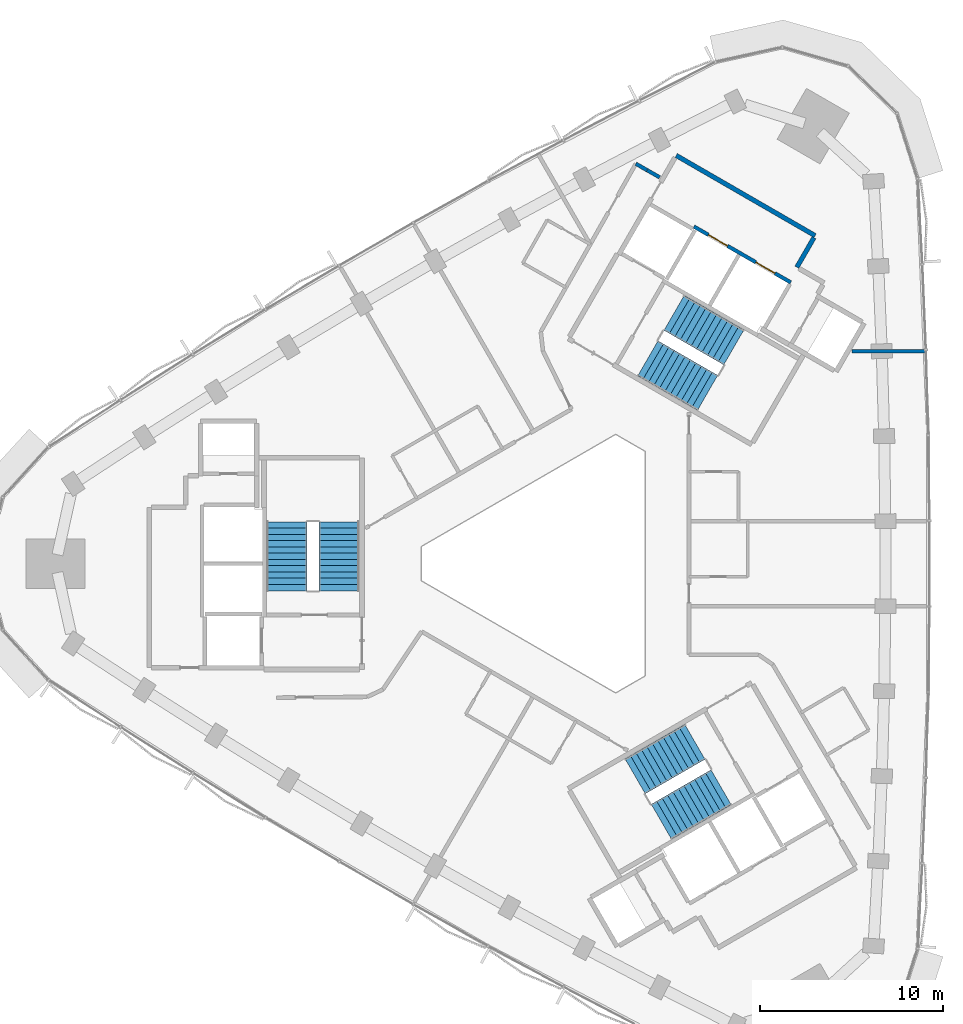
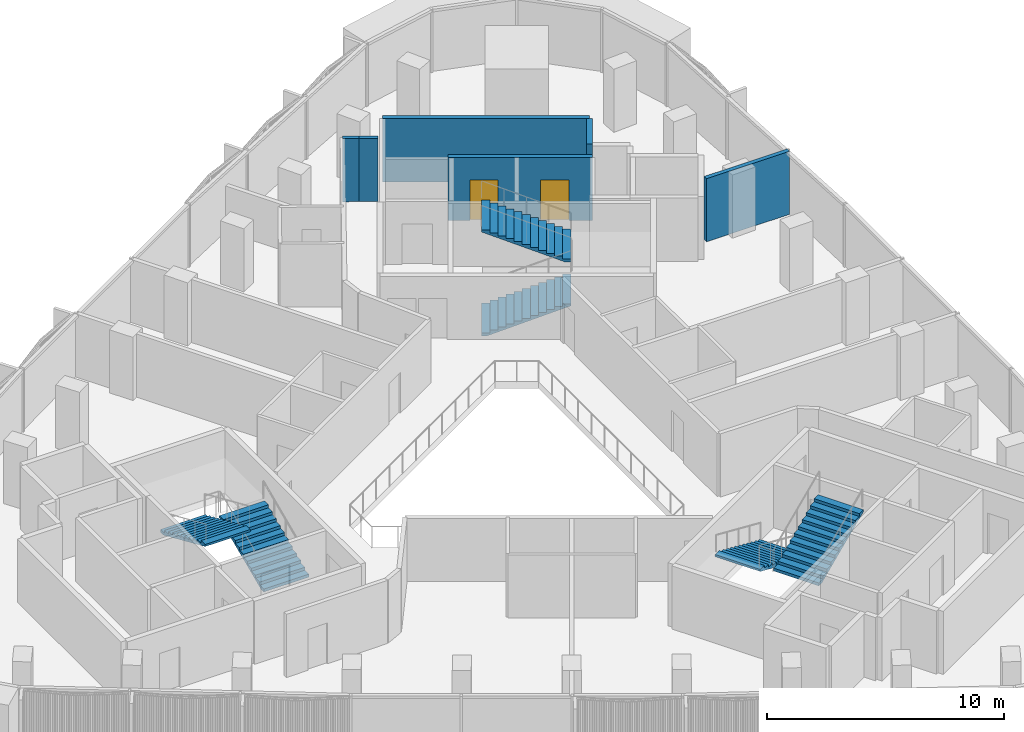
# One storey, part 10 of 13: 6 stair flights, 6 walls, 2 doors, 2 openings, 3 elements without a shape of their own.
"""IFC4 building model written with IfcOpenShell, lengths in metres."""

from ifc_helpers import new_model, si_unit, direction, frame, frame_2d, origin, place, context, subcontext, project, spatial, polyline, rectangle, outline, extrude, material, layer, layer_set, type_object, element, fill, aggregate, save


model = new_model("IFC4")

# Units and contexts
model_context = context("Model", 3, precision=1e-05, world=origin(), true_north=direction((0.0, 1.0)))
body_context = subcontext(model_context, "Body", "Model", "MODEL_VIEW")
ifc_project = project(units=[si_unit("LENGTHUNIT", "METRE"), si_unit("AREAUNIT", "SQUARE_METRE"), si_unit("VOLUMEUNIT", "CUBIC_METRE"), si_unit("PLANEANGLEUNIT", "RADIAN"), si_unit("MASSUNIT", "GRAM", prefix="KILO")], contexts=[model_context])

# Site, building, storey
site_placement = place(None, origin())
site = spatial("IfcSite", under=ifc_project, at=site_placement, CompositionType="ELEMENT")
building_placement = place(site_placement, origin())
building = spatial("IfcBuilding", under=site, at=building_placement, Name="Tamra Quay Hotel Tower", CompositionType="ELEMENT")
storey_placement = place(building_placement, frame((0.0, 0.0, 193.60009765625)))
storey = spatial("IfcBuildingStorey", under=building, at=storey_placement, Name="L48", CompositionType="ELEMENT", Elevation=193.60009765625)

# Wall, openings, doors
ifc_material_1 = material(Name="Concrete M70", Category="concrete")
ifc_layer_1 = layer(ifc_material_1, 0.199951171875)
ifc_layer_set_1 = layer_set([ifc_layer_1], Name="Concrete M70 core wall 200")
wall_type_1 = type_object("IfcWallType", Name="Concrete M70 core wall 200", PredefinedType="SHEAR", material=ifc_layer_set_1)
wall_1_placement = place(storey_placement, frame((12.552490234375, 15.341552734375, 0.0), z_axis=(0.0, 0.0, 1.0), x_axis=(-0.866030299012, 0.499991521122, 0.0)))
wall_1 = element("IfcWall", 1, at=wall_1_placement, inside=storey, type_object=wall_type_1, Name="CW2", PredefinedType="SHEAR", context=body_context, shape_type="SweptSolid", body=[
    extrude(rectangle(XDim=6.10009765625, YDim=0.199951171875, at=frame_2d((3.050048828125, 0.0))), origin(), (0.0, 0.0, 1.0), 3.25),
])
opening_1_placement = place(wall_1_placement, frame((1.0, 0.0, 0.0)))
opening_1 = element("IfcOpeningElement", 2, at=opening_1_placement, cuts=wall_1, Name="Opening LD", PredefinedType="OPENING", context=body_context, shape_type="SweptSolid", body=[
    extrude(rectangle(XDim=1.199951171875, YDim=2.10009765625, at=frame_2d((0.60009765625, 1.050048828125))), frame((0.0, 0.10986328125, 0.0), z_axis=(0.0, -1.0, 0.0), x_axis=(1.0, 0.0, 0.0)), (0.0, 0.0, 1.0), 0.219970703125),
])
opening_2_placement = place(wall_1_placement, frame((3.982177734375, 0.0, 0.0)))
opening_2 = element("IfcOpeningElement", 3, at=opening_2_placement, cuts=wall_1, Name="Opening LD", PredefinedType="OPENING", context=body_context, shape_type="SweptSolid", body=[
    extrude(rectangle(XDim=1.199951171875, YDim=2.10009765625, at=frame_2d((0.60009765625, 1.050048828125))), frame((0.0, 0.10986328125, 0.0), z_axis=(0.0, -1.0, 0.0), x_axis=(1.0, 0.0, 0.0)), (0.0, 0.0, 1.0), 0.219970703125),
])
ifc_material_2 = material(Name="Landing door LD 1200 double door sliding")
door_type = type_object("IfcDoorType", Name="Landing door LD 1200 double door sliding", OperationType="DOUBLE_DOOR_SLIDING", PredefinedType="DOOR", material=ifc_material_2)
door_1_placement = place(opening_1_placement, origin())
door_1 = element("IfcDoor", 4, at=door_1_placement, inside=storey, type_object=door_type, Name="LD", OperationType="DOUBLE_DOOR_SLIDING", OverallHeight=2.10009765625, OverallWidth=1.199951171875, PredefinedType="DOOR", context=body_context, shape_type="SweptSolid", body=[
    extrude(rectangle(XDim=1.199951171875, YDim=2.10009765625, at=frame_2d((0.60009765625, 1.050048828125))), frame((0.0, 0.02490234375, 0.0), z_axis=(0.0, -1.0, 0.0), x_axis=(1.0, 0.0, 0.0)), (0.0, 0.0, 1.0), 0.050048828125),
])
fill(opening_1, door_1)
door_2_placement = place(opening_2_placement, origin())
door_2 = element("IfcDoor", 5, at=door_2_placement, inside=storey, type_object=door_type, Name="LD", OperationType="DOUBLE_DOOR_SLIDING", OverallHeight=2.10009765625, OverallWidth=1.199951171875, PredefinedType="DOOR", context=body_context, shape_type="SweptSolid", body=[
    extrude(rectangle(XDim=1.199951171875, YDim=2.10009765625, at=frame_2d((0.60009765625, 1.050048828125))), frame((0.0, 0.02490234375, 0.0), z_axis=(0.0, -1.0, 0.0), x_axis=(1.0, 0.0, 0.0)), (0.0, 0.0, 1.0), 0.050048828125),
])
fill(opening_2, door_2)

# Walls
ifc_layer_2 = layer(ifc_material_1, 0.25)
ifc_layer_set_2 = layer_set([ifc_layer_2], Name="Concrete M70 core wall 250")
wall_type_2 = type_object("IfcWallType", Name="Concrete M70 core wall 250", PredefinedType="SHEAR", material=ifc_layer_set_2)
wall_2_placement = place(storey_placement, frame((6.303955078125, 22.268798828125, 0.0), z_axis=(0.0, 0.0, 1.0), x_axis=(0.866022959057, -0.500004234368, 0.0)))
element("IfcWall", 6, at=wall_2_placement, inside=storey, type_object=wall_type_2, Name="CW1", PredefinedType="SHEAR", context=body_context, shape_type="SweptSolid", body=[
    extrude(rectangle(XDim=8.75, YDim=0.25, at=frame_2d((4.375, 0.0))), origin(), (0.0, 0.0, 1.0), 3.25),
])
wall_3_placement = place(storey_placement, frame((13.819091796875, 17.78515625, 0.0), z_axis=(0.0, 0.0, 1.0), x_axis=(-0.500039802285, -0.866002422705, 0.0)))
element("IfcWall", 7, at=wall_3_placement, inside=storey, type_object=wall_type_2, Name="CW1", PredefinedType="SHEAR", context=body_context, shape_type="SweptSolid", body=[
    extrude(rectangle(XDim=1.864501953125, YDim=0.25, at=frame_2d((0.93212890625, 0.0))), origin(), (0.0, 0.0, 1.0), 3.25),
])
ifc_material_3 = material(Name="Partition corridor wall")
ifc_layer_3 = layer(ifc_material_3, 0.199951171875)
ifc_layer_set_3 = layer_set([ifc_layer_3], Name="Partition corridor wall")
wall_type_3 = type_object("IfcWallType", Name="Partition corridor wall", PredefinedType="PARTITIONING", material=ifc_layer_set_3)
wall_4_placement = place(storey_placement, frame((4.10205078125, 21.81591796875, 0.0), z_axis=(0.0, 0.0, 1.0), x_axis=(0.867664502326, -0.497150189986, 0.0)))
element("IfcWall", 8, at=wall_4_placement, inside=storey, type_object=wall_type_3, Name="W-C", PredefinedType="PARTITIONING", context=body_context, shape_type="SweptSolid", body=[
    extrude(rectangle(XDim=0.70166015625, YDim=0.199951171875, at=frame_2d((0.350830078125, 0.0))), origin(), (0.0, 0.0, 1.0), 3.25),
])
wall_5_placement = place(storey_placement, frame((4.716064453125, 21.468017578125, 0.0), z_axis=(0.0, 0.0, 1.0), x_axis=(0.865912682783, -0.500195187698, 0.0)))
element("IfcWall", 9, at=wall_5_placement, inside=storey, type_object=wall_type_3, Name="W-C", PredefinedType="PARTITIONING", context=body_context, shape_type="SweptSolid", body=[
    extrude(rectangle(XDim=0.789794921875, YDim=0.199951171875, at=frame_2d((0.39501953125, 0.0))), origin(), (0.0, 0.0, 1.0), 3.25),
])
ifc_material_4 = material(Name="Partition party wall")
ifc_layer_4 = layer(ifc_material_4, 0.199951171875)
ifc_layer_set_4 = layer_set([ifc_layer_4], Name="Partition party wall")
wall_type_4 = type_object("IfcWallType", Name="Partition party wall", PredefinedType="PARTITIONING", material=ifc_layer_set_4)
wall_6_placement = place(storey_placement, frame((15.884033203125, 11.592041015625, 0.0), z_axis=(0.0, 0.0, 1.0), x_axis=(1.0, 0.0, 0.0)))
element("IfcWall", 10, at=wall_6_placement, inside=storey, type_object=wall_type_4, Name="W-P", PredefinedType="PARTITIONING", context=body_context, shape_type="SweptSolid", body=[
    extrude(rectangle(XDim=4.0419921875, YDim=0.199951171875, at=frame_2d((2.02099609375, 0.0))), origin(), (0.0, 0.0, 1.0), 3.25),
])

# Stair, stair flights
ifc_material_5 = material(Name="Exit stair 2200 24 risers 150.0 going 342")
stair_type = type_object("IfcStairType", Name="Exit stair 2200 24 risers 150.0 going 342", PredefinedType="HALF_TURN_STAIR", material=ifc_material_5)
stair_1_placement = place(storey_placement, origin())
stair_1 = element("IfcStair", 11, at=stair_1_placement, inside=storey, type_object=stair_type, Name="L48 Exit stair ST3", PredefinedType="HALF_TURN_STAIR")
ifc_material_6 = material(Name="Exit stair flight 2200 12 risers 150.0")
stair_flight_type = type_object("IfcStairFlightType", Name="Exit stair flight 2200 12 risers 150.0", PredefinedType="STRAIGHT", material=ifc_material_6)
stair_flight_1_placement = place(storey_placement, frame((-12.082275390625, -1.47998046875, 0.0), z_axis=(0.0, 0.0, 1.0), x_axis=(0.0, 1.0, 0.0)))
stair_flight_1 = element("IfcStairFlight", 12, at=stair_flight_1_placement, type_object=stair_flight_type, Name="ST3 flight 1", NumberOfRisers=12, NumberOfTreads=11, PredefinedType="STRAIGHT", RiserHeight=0.15, TreadLength=0.342, context=body_context, shape_type="SweptSolid", body=[
    extrude(outline(polyline([(0.0, 0.0), (0.0, 0.14990234375), (0.342041015625, 0.14990234375), (0.342041015625, 0.300048828125), (0.68408203125, 0.300048828125), (0.68408203125, 0.449951171875), (1.02587890625, 0.449951171875), (1.02587890625, 0.60009765625), (1.367919921875, 0.60009765625), (1.367919921875, 0.75), (1.7099609375, 0.75), (1.7099609375, 0.89990234375), (2.052001953125, 0.89990234375), (2.052001953125, 1.050048828125), (2.39404296875, 1.050048828125), (2.39404296875, 1.199951171875), (2.736083984375, 1.199951171875), (2.736083984375, 1.35009765625), (3.077880859375, 1.35009765625), (3.077880859375, 1.5), (3.419921875, 1.5), (3.419921875, 1.64990234375), (3.761962890625, 1.64990234375), (3.761962890625, 1.800048828125), (3.761962890625, 1.540771484375), (0.249267578125, 0.0), (0.0, 0.0)])), frame((0.0, 1.10009765625, 0.0), z_axis=(0.0, -1.0, 0.0), x_axis=(1.0, 0.0, 0.0)), (0.0, 0.0, 1.0), 2.199951171875),
])
stair_flight_2_placement = place(storey_placement, frame((-14.94140625, 2.281982421875, 1.7998046875), z_axis=(0.0, 0.0, 1.0), x_axis=(0.0, -1.0, 0.0)))
stair_flight_2 = element("IfcStairFlight", 13, at=stair_flight_2_placement, type_object=stair_flight_type, Name="ST3 flight 2", NumberOfRisers=12, NumberOfTreads=11, PredefinedType="STRAIGHT", RiserHeight=0.15, TreadLength=0.342, context=body_context, shape_type="SweptSolid", body=[
    extrude(outline(polyline([(0.0, 0.0), (0.0, 0.14990234375), (0.342041015625, 0.14990234375), (0.342041015625, 0.300048828125), (0.68408203125, 0.300048828125), (0.68408203125, 0.449951171875), (1.02587890625, 0.449951171875), (1.02587890625, 0.60009765625), (1.367919921875, 0.60009765625), (1.367919921875, 0.75), (1.7099609375, 0.75), (1.7099609375, 0.89990234375), (2.052001953125, 0.89990234375), (2.052001953125, 1.050048828125), (2.39404296875, 1.050048828125), (2.39404296875, 1.199951171875), (2.736083984375, 1.199951171875), (2.736083984375, 1.35009765625), (3.077880859375, 1.35009765625), (3.077880859375, 1.5), (3.419921875, 1.5), (3.419921875, 1.64990234375), (3.761962890625, 1.64990234375), (3.761962890625, 1.800048828125), (3.761962890625, 1.540771484375), (0.249267578125, 0.0), (0.0, 0.0)])), frame((0.0, 1.10009765625, 0.0), z_axis=(0.0, -1.0, 0.0), x_axis=(1.0, 0.0, 0.0)), (0.0, 0.0, 1.0), 2.199951171875),
])
aggregate(stair_1, [stair_flight_1, stair_flight_2])

stair_2_placement = place(storey_placement, origin())
stair_2 = element("IfcStair", 14, at=stair_2_placement, inside=storey, type_object=stair_type, Name="L48 Exit stair ST1", PredefinedType="HALF_TURN_STAIR")
stair_flight_3_placement = place(storey_placement, frame((4.75927734375, 11.20361328125, 0.0), z_axis=(0.0, 0.0, 1.0), x_axis=(0.866025403784, -0.5, 0.0)))
stair_flight_3 = element("IfcStairFlight", 15, at=stair_flight_3_placement, type_object=stair_flight_type, Name="ST1 flight 1", NumberOfRisers=12, NumberOfTreads=11, PredefinedType="STRAIGHT", RiserHeight=0.15, TreadLength=0.342, context=body_context, shape_type="SweptSolid", body=[
    extrude(outline(polyline([(0.0, 0.0), (0.0, 0.14990234375), (0.342041015625, 0.14990234375), (0.342041015625, 0.300048828125), (0.68408203125, 0.300048828125), (0.68408203125, 0.449951171875), (1.02587890625, 0.449951171875), (1.02587890625, 0.60009765625), (1.367919921875, 0.60009765625), (1.367919921875, 0.75), (1.7099609375, 0.75), (1.7099609375, 0.89990234375), (2.052001953125, 0.89990234375), (2.052001953125, 1.050048828125), (2.39404296875, 1.050048828125), (2.39404296875, 1.199951171875), (2.736083984375, 1.199951171875), (2.736083984375, 1.35009765625), (3.077880859375, 1.35009765625), (3.077880859375, 1.5), (3.419921875, 1.5), (3.419921875, 1.64990234375), (3.761962890625, 1.64990234375), (3.761962890625, 1.800048828125), (3.761962890625, 1.540771484375), (0.249267578125, 0.0), (0.0, 0.0)])), frame((0.0, 1.10009765625, 0.0), z_axis=(0.0, -1.0, 0.0), x_axis=(1.0, 0.0, 0.0)), (0.0, 0.0, 1.0), 2.199951171875),
])
stair_flight_4_placement = place(storey_placement, frame((9.44677734375, 11.798583984375, 1.7998046875), z_axis=(0.0, 0.0, 1.0), x_axis=(-0.866025403784, 0.5, 0.0)))
stair_flight_4 = element("IfcStairFlight", 16, at=stair_flight_4_placement, type_object=stair_flight_type, Name="ST1 flight 2", NumberOfRisers=12, NumberOfTreads=11, PredefinedType="STRAIGHT", RiserHeight=0.15, TreadLength=0.342, context=body_context, shape_type="SweptSolid", body=[
    extrude(outline(polyline([(0.0, 0.0), (0.0, 0.14990234375), (0.342041015625, 0.14990234375), (0.342041015625, 0.300048828125), (0.68408203125, 0.300048828125), (0.68408203125, 0.449951171875), (1.02587890625, 0.449951171875), (1.02587890625, 0.60009765625), (1.367919921875, 0.60009765625), (1.367919921875, 0.75), (1.7099609375, 0.75), (1.7099609375, 0.89990234375), (2.052001953125, 0.89990234375), (2.052001953125, 1.050048828125), (2.39404296875, 1.050048828125), (2.39404296875, 1.199951171875), (2.736083984375, 1.199951171875), (2.736083984375, 1.35009765625), (3.077880859375, 1.35009765625), (3.077880859375, 1.5), (3.419921875, 1.5), (3.419921875, 1.64990234375), (3.761962890625, 1.64990234375), (3.761962890625, 1.800048828125), (3.761962890625, 1.540771484375), (0.249267578125, 0.0), (0.0, 0.0)])), frame((0.0, 1.10009765625, 0.0), z_axis=(0.0, -1.0, 0.0), x_axis=(1.0, 0.0, 0.0)), (0.0, 0.0, 1.0), 2.199951171875),
])
aggregate(stair_2, [stair_flight_3, stair_flight_4])

stair_3_placement = place(storey_placement, origin())
stair_3 = element("IfcStair", 17, at=stair_3_placement, inside=storey, type_object=stair_type, Name="L48 Exit stair ST2", PredefinedType="HALF_TURN_STAIR")
stair_flight_5_placement = place(storey_placement, frame((7.322998046875, -9.7236328125, 0.0), z_axis=(0.0, 0.0, 1.0), x_axis=(-0.866025403784, -0.5, 0.0)))
stair_flight_5 = element("IfcStairFlight", 18, at=stair_flight_5_placement, type_object=stair_flight_type, Name="ST2 flight 1", NumberOfRisers=12, NumberOfTreads=11, PredefinedType="STRAIGHT", RiserHeight=0.15, TreadLength=0.342, context=body_context, shape_type="SweptSolid", body=[
    extrude(outline(polyline([(0.0, 0.0), (0.0, 0.14990234375), (0.342041015625, 0.14990234375), (0.342041015625, 0.300048828125), (0.68408203125, 0.300048828125), (0.68408203125, 0.449951171875), (1.02587890625, 0.449951171875), (1.02587890625, 0.60009765625), (1.367919921875, 0.60009765625), (1.367919921875, 0.75), (1.7099609375, 0.75), (1.7099609375, 0.89990234375), (2.052001953125, 0.89990234375), (2.052001953125, 1.050048828125), (2.39404296875, 1.050048828125), (2.39404296875, 1.199951171875), (2.736083984375, 1.199951171875), (2.736083984375, 1.35009765625), (3.077880859375, 1.35009765625), (3.077880859375, 1.5), (3.419921875, 1.5), (3.419921875, 1.64990234375), (3.761962890625, 1.64990234375), (3.761962890625, 1.800048828125), (3.761962890625, 1.540771484375), (0.249267578125, 0.0), (0.0, 0.0)])), frame((0.0, 1.10009765625, 0.0), z_axis=(0.0, -1.0, 0.0), x_axis=(1.0, 0.0, 0.0)), (0.0, 0.0, 1.0), 2.199951171875),
])
stair_flight_6_placement = place(storey_placement, frame((5.494384765625, -14.08056640625, 1.7998046875), z_axis=(0.0, 0.0, 1.0), x_axis=(0.866025403784, 0.5, 0.0)))
stair_flight_6 = element("IfcStairFlight", 19, at=stair_flight_6_placement, type_object=stair_flight_type, Name="ST2 flight 2", NumberOfRisers=12, NumberOfTreads=11, PredefinedType="STRAIGHT", RiserHeight=0.15, TreadLength=0.342, context=body_context, shape_type="SweptSolid", body=[
    extrude(outline(polyline([(0.0, 0.0), (0.0, 0.14990234375), (0.342041015625, 0.14990234375), (0.342041015625, 0.300048828125), (0.68408203125, 0.300048828125), (0.68408203125, 0.449951171875), (1.02587890625, 0.449951171875), (1.02587890625, 0.60009765625), (1.367919921875, 0.60009765625), (1.367919921875, 0.75), (1.7099609375, 0.75), (1.7099609375, 0.89990234375), (2.052001953125, 0.89990234375), (2.052001953125, 1.050048828125), (2.39404296875, 1.050048828125), (2.39404296875, 1.199951171875), (2.736083984375, 1.199951171875), (2.736083984375, 1.35009765625), (3.077880859375, 1.35009765625), (3.077880859375, 1.5), (3.419921875, 1.5), (3.419921875, 1.64990234375), (3.761962890625, 1.64990234375), (3.761962890625, 1.800048828125), (3.761962890625, 1.540771484375), (0.249267578125, 0.0), (0.0, 0.0)])), frame((0.0, 1.10009765625, 0.0), z_axis=(0.0, -1.0, 0.0), x_axis=(1.0, 0.0, 0.0)), (0.0, 0.0, 1.0), 2.199951171875),
])
aggregate(stair_3, [stair_flight_5, stair_flight_6])

save(model, "model.ifc")
